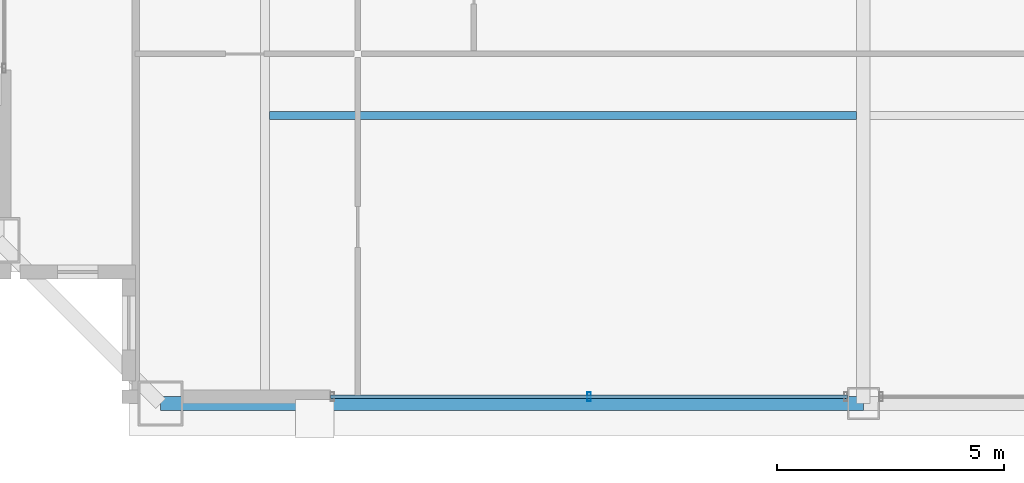
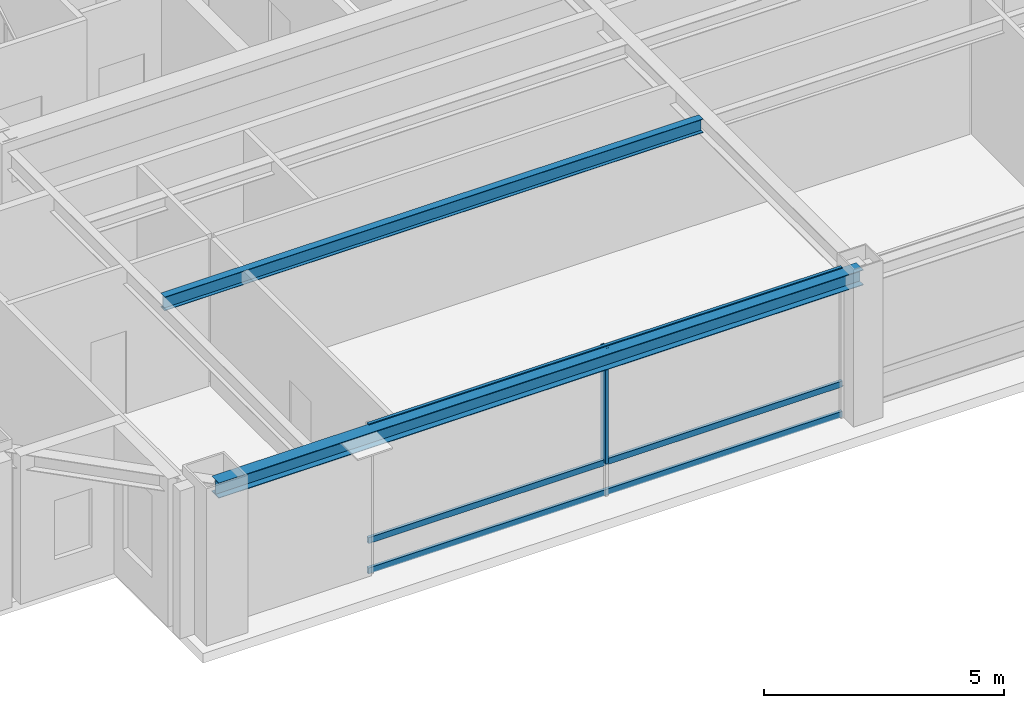
# One storey, part 5 of 34: 4 members, 2 beams, 1 element without a shape of its own.
"""IFC4 building model written with IfcOpenShell, lengths in metres."""

from ifc_helpers import new_model, si_unit, direction, frame, origin, origin_2d, place, context, subcontext, project, spatial, hollow_rectangle, i_section, extrude, source, transform, mapped, material, layer, layer_set, material_profile, profile_set, type_object, element, aggregate, save


model = new_model("IFC4")

# Units and contexts
model_context = context("Model", 3, precision=1e-05, world=origin(), true_north=direction((0.0, 1.0)))
body_context = subcontext(model_context, "Body", "Model", "MODEL_VIEW")
ifc_project = project(units=[si_unit("LENGTHUNIT", "METRE"), si_unit("AREAUNIT", "SQUARE_METRE"), si_unit("VOLUMEUNIT", "CUBIC_METRE"), si_unit("PLANEANGLEUNIT", "RADIAN"), si_unit("MASSUNIT", "GRAM", prefix="KILO"), si_unit("THERMODYNAMICTEMPERATUREUNIT", "KELVIN"), si_unit("POWERUNIT", "WATT")], contexts=[model_context])

# Site, building, storey
site_placement = place(None, origin())
site = spatial("IfcSite", under=ifc_project, at=site_placement, CompositionType="ELEMENT")
building_placement = place(site_placement, origin())
building = spatial("IfcBuilding", under=site, at=building_placement, Name="Yuzanri Waterfront Tower", CompositionType="ELEMENT")
storey_placement = place(building_placement, frame((0.0, 0.0, 339.199951171875)))
storey = spatial("IfcBuildingStorey", under=building, at=storey_placement, Name="L91", CompositionType="ELEMENT", Elevation=339.199951171875)

# Beams
ifc_material_1 = material(Name="Steel Q355B", Category="steel")
ifc_material_profile_1 = material_profile(ifc_material_1, i_section(OverallWidth=0.175048828125, OverallDepth=0.35009765625, WebThickness=0.007080078125, FlangeThickness=0.010986328125, at=origin_2d()), Name="HN 350x175x7x11")
ifc_profile_set_1 = profile_set([ifc_material_profile_1], Name="Steel Q355B")
beam_type_1 = type_object("IfcBeamType", Name="Floor Joist Q355B HN 350x175", PredefinedType="JOIST", material=ifc_profile_set_1)
shared_shape_1 = source(origin(), body_context, "Body", "SweptSolid", [
    extrude(i_section(OverallWidth=0.175048828125, OverallDepth=0.35009765625, WebThickness=0.007080078125, FlangeThickness=0.010986328125, at=origin_2d()), origin(), (0.0, 0.0, 1.0), 12.9501953125),
])
beam_1_placement = place(storey_placement, frame((23.89990234375, 13.050048828125, 3.5849609375), z_axis=(1.0, 0.0, 0.0), x_axis=(0.0, 1.0, 0.0)))
element("IfcBeam", 1, at=beam_1_placement, inside=storey, type_object=beam_type_1, Name="L91 South Bay Joist W", PredefinedType="JOIST", context=body_context, shape_type="MappedRepresentation", body=[
    mapped(shared_shape_1, transform((0.0, 0.0, 0.0), scale=1.0)),
])
ifc_material_2 = material(Name="Steel Q355B", Category="steel")
ifc_material_profile_2 = material_profile(ifc_material_2, i_section(OverallWidth=0.300048828125, OverallDepth=0.389892578125, WebThickness=0.010009765625, FlangeThickness=0.01611328125, at=origin_2d()), Name="HM 390x300x10x16")
ifc_profile_set_2 = profile_set([ifc_material_profile_2], Name="Steel Q355B")
beam_type_2 = type_object("IfcBeamType", Name="Perimeter Spandrel Q355B HM 390x300", PredefinedType="SPANDREL", material=ifc_profile_set_2)
shared_shape_2 = source(origin(), body_context, "Body", "SweptSolid", [
    extrude(i_section(OverallWidth=0.300048828125, OverallDepth=0.389892578125, WebThickness=0.010009765625, FlangeThickness=0.01611328125, at=origin_2d()), origin(), (0.0, 0.0, 1.0), 15.5),
])
beam_2_placement = place(storey_placement, frame((21.5, 6.699951171875, 3.56494140625), z_axis=(1.0, 0.0, 0.0), x_axis=(0.0, 1.0, 0.0)))
element("IfcBeam", 2, at=beam_2_placement, inside=storey, type_object=beam_type_2, Name="L91 Perimeter Spandrel S1-S2", PredefinedType="SPANDREL", context=body_context, shape_type="MappedRepresentation", body=[
    mapped(shared_shape_2, transform((0.0, 0.0, 0.0), scale=1.0)),
])

# Curtain wall, members
ifc_material_3 = material(Name="Anodized Architectural Bronze", Category="metal")
ifc_layer = layer(ifc_material_3, 0.159912109375)
ifc_layer_set = layer_set([ifc_layer], Name="Anodized Architectural Bronze")
curtain_wall_type = type_object("IfcCurtainWallType", Name="Anodized Bronze High-Rise Penthouse High-Wind Unitized Curtain Wall 6900", PredefinedType="NOTDEFINED", material=ifc_layer_set)
curtain_wall_placement = place(storey_placement, origin())
curtain_wall = element("IfcCurtainWall", 3, at=curtain_wall_placement, inside=storey, type_object=curtain_wall_type, Name="L91 Curtain Wall CW-L91-SL", PredefinedType="NOTDEFINED")
ifc_material_4 = material(Name="Anodized Architectural Bronze", Category="metal")
ifc_material_profile_3 = material_profile(ifc_material_4, hollow_rectangle(XDim=0.074951171875, YDim=0.14990234375, WallThickness=0.00390625, at=origin_2d()), Name="CWT 75x150")
ifc_profile_set_3 = profile_set([ifc_material_profile_3], Name="Anodized Architectural Bronze")
member_type_1 = type_object("IfcMemberType", Name="Anodized Bronze Primary Curtain-Wall Transom 75x150", PredefinedType="USERDEFINED", material=ifc_profile_set_3)
shared_shape_3 = source(origin(), body_context, "Body", "SweptSolid", [
    extrude(hollow_rectangle(XDim=0.074951171875, YDim=0.14990234375, WallThickness=0.00390625, at=origin_2d()), origin(), (0.0, 0.0, 1.0), 11.39990234375),
])
member_1_placement = place(storey_placement, frame((25.25, 6.85009765625, 0.050048828125), z_axis=(1.0, 0.0, 0.0), x_axis=(0.0, 1.0, 0.0)))
member_1 = element("IfcMember", 4, at=member_1_placement, type_object=member_type_1, Name="CW-L91-SL Transom 1", ObjectType="TRANSOM", PredefinedType="USERDEFINED", context=body_context, shape_type="MappedRepresentation", body=[
    mapped(shared_shape_3, transform((0.0, 0.0, 0.0), scale=1.0)),
])
member_2_placement = place(storey_placement, frame((25.25, 6.85009765625, 0.820068359375), z_axis=(1.0, 0.0, 0.0), x_axis=(0.0, 1.0, 0.0)))
member_2 = element("IfcMember", 5, at=member_2_placement, type_object=member_type_1, Name="CW-L91-SL Transom 2", ObjectType="TRANSOM", PredefinedType="USERDEFINED", context=body_context, shape_type="MappedRepresentation", body=[
    mapped(shared_shape_3, transform((0.0, 0.0, 0.0), scale=1.0)),
])
member_3_placement = place(storey_placement, frame((25.25, 6.85009765625, 3.7099609375), z_axis=(1.0, 0.0, 0.0), x_axis=(0.0, 1.0, 0.0)))
member_3 = element("IfcMember", 6, at=member_3_placement, type_object=member_type_1, Name="CW-L91-SL Transom 3", ObjectType="TRANSOM", PredefinedType="USERDEFINED", context=body_context, shape_type="MappedRepresentation", body=[
    mapped(shared_shape_3, transform((0.0, 0.0, 0.0), scale=1.0)),
])
ifc_material_5 = material(Name="Anodized Architectural Bronze", Category="metal")
ifc_material_profile_4 = material_profile(ifc_material_5, hollow_rectangle(XDim=0.074951171875, YDim=0.199951171875, WallThickness=0.00390625, at=origin_2d()), Name="CWM 75x200")
ifc_profile_set_4 = profile_set([ifc_material_profile_4], Name="Anodized Architectural Bronze")
member_type_2 = type_object("IfcMemberType", Name="Anodized Bronze Primary Curtain-Wall Mullion 75x200", PredefinedType="MULLION", material=ifc_profile_set_4)
shared_shape_4 = source(origin(), body_context, "Body", "SweptSolid", [
    extrude(hollow_rectangle(XDim=0.074951171875, YDim=0.199951171875, WallThickness=0.00390625, at=origin_2d()), origin(), (0.0, 0.0, 1.0), 2.93798828125),
])
member_4_placement = place(storey_placement, frame((30.949951171875, 6.85009765625, 0.822021484375), z_axis=(0.0, 0.0, 1.0), x_axis=(1.0, 0.0, 0.0)))
member_4 = element("IfcMember", 7, at=member_4_placement, type_object=member_type_2, Name="CW-L91-SL Upper Mullion 01", PredefinedType="MULLION", context=body_context, shape_type="MappedRepresentation", body=[
    mapped(shared_shape_4, transform((0.0, 0.0, 0.0), scale=1.0)),
])
aggregate(curtain_wall, [member_4, member_1, member_2, member_3])

save(model, "model.ifc")
